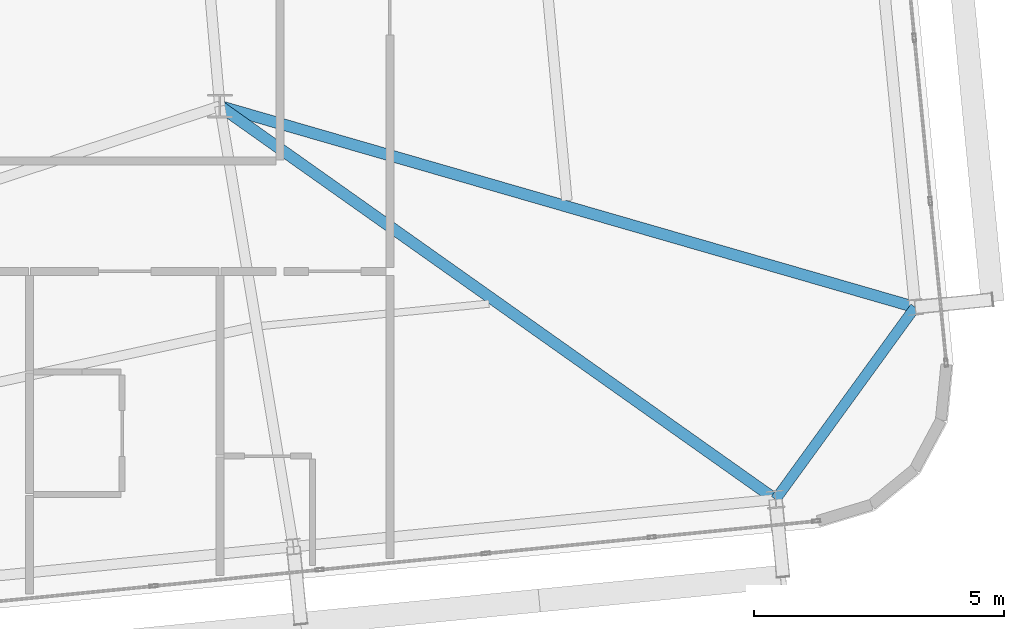
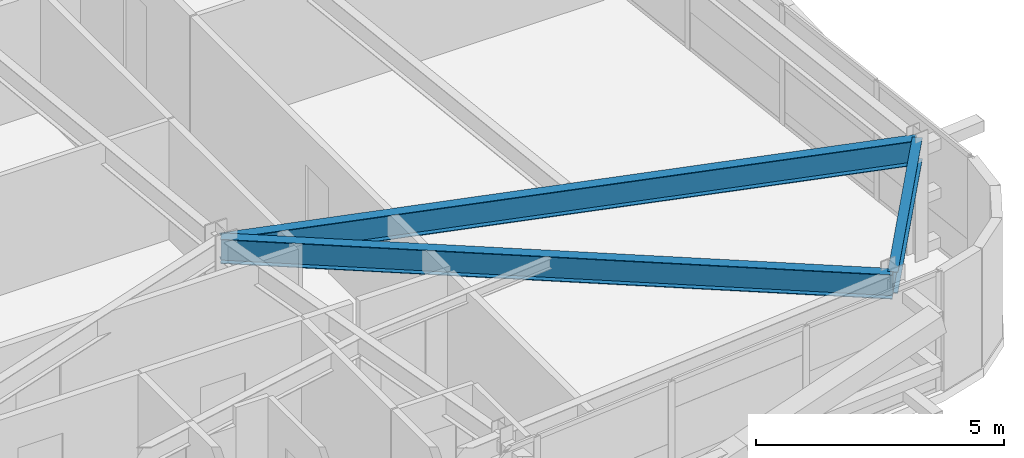
# One storey, part 21 of 54: 3 beams.
"""IFC4 building model written with IfcOpenShell, lengths in metres."""

from ifc_helpers import new_model, si_unit, direction, frame, origin, origin_2d, place, context, subcontext, project, spatial, i_section, extrude, source, transform, mapped, material, material_profile, profile_set, type_object, element, save


model = new_model("IFC4")

# Units and contexts
model_context = context("Model", 3, precision=1e-05, world=origin(), true_north=direction((0.0, 1.0)))
body_context = subcontext(model_context, "Body", "Model", "MODEL_VIEW")
ifc_project = project(units=[si_unit("LENGTHUNIT", "METRE"), si_unit("AREAUNIT", "SQUARE_METRE"), si_unit("VOLUMEUNIT", "CUBIC_METRE"), si_unit("PLANEANGLEUNIT", "RADIAN"), si_unit("MASSUNIT", "GRAM", prefix="KILO")], contexts=[model_context])

# Site, building, storey
site_placement = place(None, origin())
site = spatial("IfcSite", under=ifc_project, at=site_placement, CompositionType="ELEMENT")
building_placement = place(site_placement, origin())
building = spatial("IfcBuilding", under=site, at=building_placement, Name="Taldren Reach Tower", CompositionType="ELEMENT")
storey_placement = place(building_placement, frame((0.0, 0.0, 99.75)))
storey = spatial("IfcBuildingStorey", under=building, at=storey_placement, Name="L30", CompositionType="ELEMENT", Elevation=99.75)

# Beams
ifc_material = material(Name="Steel Gr 350 (350PLUS)", Category="steel")
ifc_material_profile_1 = material_profile(ifc_material, i_section(OverallWidth=0.208984375, OverallDepth=0.528076171875, WebThickness=0.009521484375, FlangeThickness=0.01318359375, at=origin_2d()), Name="530UB82.0")
ifc_profile_set_1 = profile_set([ifc_material_profile_1], Name="Steel Gr 350 (350PLUS)")
beam_type_1 = type_object("IfcBeamType", Name="SP-UB530B", PredefinedType="SPANDREL", material=ifc_profile_set_1)
shared_shape_1 = source(origin(), body_context, "Body", "SweptSolid", [
    extrude(i_section(OverallWidth=0.208984375, OverallDepth=0.528076171875, WebThickness=0.009521484375, FlangeThickness=0.01318359375, at=origin_2d()), origin(), (0.0, 0.0, 1.0), 4.74609375),
])
beam_1_placement = place(storey_placement, frame((63.103271484375, 4.64306640625, 2.666015625), z_axis=(0.58750777154, 0.809218523255, 0.0), x_axis=(-0.809218523255, 0.58750777154, 0.0)))
element("IfcBeam", 1, at=beam_1_placement, inside=storey, type_object=beam_type_1, Name="Perimeter spandrel B2 S6-E1 L30", PredefinedType="SPANDREL", context=body_context, shape_type="MappedRepresentation", body=[
    mapped(shared_shape_1, transform((0.0, 0.0, 0.0), scale=1.0)),
])
ifc_material_profile_2 = material_profile(ifc_material, i_section(OverallWidth=0.22802734375, OverallDepth=0.60205078125, WebThickness=0.010498046875, FlangeThickness=0.014892578125, at=origin_2d()), Name="610UB101")
ifc_profile_set_2 = profile_set([ifc_material_profile_2], Name="Steel Gr 350 (350PLUS)")
beam_type_2 = type_object("IfcBeamType", Name="BM-UB610B", PredefinedType="BEAM", material=ifc_profile_set_2)
shared_shape_2 = source(origin(), body_context, "Body", "SweptSolid", [
    extrude(i_section(OverallWidth=0.22802734375, OverallDepth=0.60205078125, WebThickness=0.010498046875, FlangeThickness=0.014892578125, at=origin_2d()), origin(), (0.0, 0.0, 1.0), 13.60205078125),
])
beam_2_placement = place(storey_placement, frame((52.0, 12.5, 2.62890625), z_axis=(0.816297773281, -0.577631323022, 0.0), x_axis=(0.577631323022, 0.816297773281, 0.0)))
element("IfcBeam", 2, at=beam_2_placement, inside=storey, type_object=beam_type_2, Name="Primary floor girder B2-S6 L30", PredefinedType="BEAM", context=body_context, shape_type="MappedRepresentation", body=[
    mapped(shared_shape_2, transform((0.0, 0.0, 0.0), scale=1.0)),
])
shared_shape_3 = source(origin(), body_context, "Body", "SweptSolid", [
    extrude(i_section(OverallWidth=0.22802734375, OverallDepth=0.60205078125, WebThickness=0.010498046875, FlangeThickness=0.014892578125, at=origin_2d()), origin(), (0.0, 0.0, 1.0), 14.46044921875),
])
beam_3_placement = place(storey_placement, frame((52.0, 12.5, 2.62890625), z_axis=(0.960654638583, -0.277745684698, 0.0), x_axis=(0.277745684698, 0.960654638583, 0.0)))
element("IfcBeam", 3, at=beam_3_placement, inside=storey, type_object=beam_type_2, Name="Primary floor girder B2-E1 L30", PredefinedType="BEAM", context=body_context, shape_type="MappedRepresentation", body=[
    mapped(shared_shape_3, transform((0.0, 0.0, 0.0), scale=1.0)),
])

save(model, "model.ifc")
